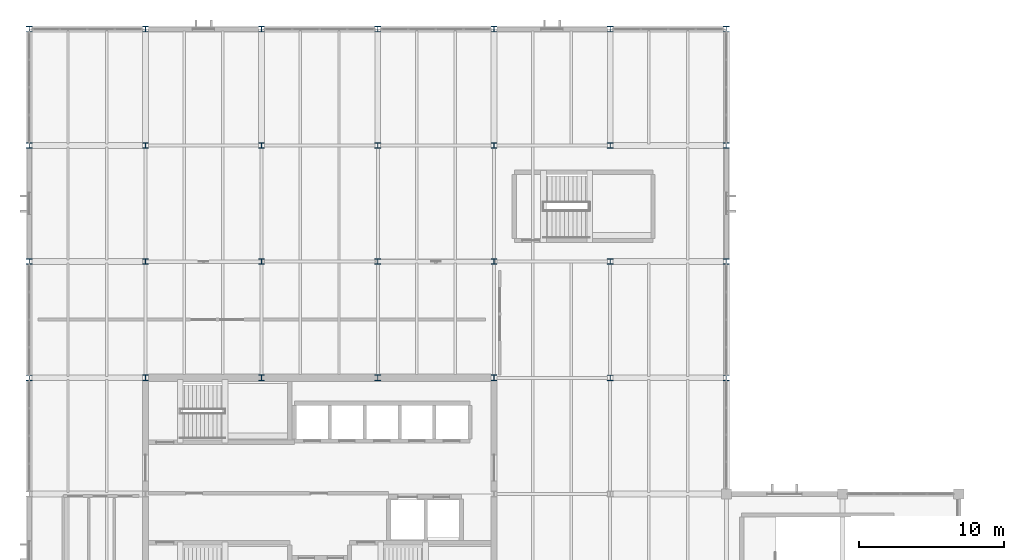
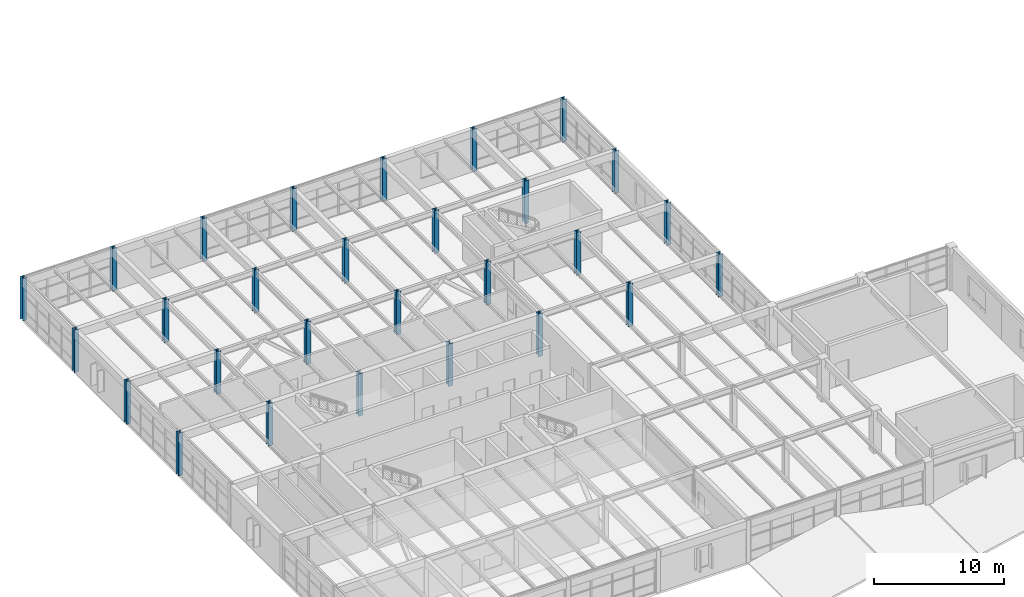
# One storey, part 3 of 48: 28 columns.
"""IFC4 building model written with IfcOpenShell, lengths in metres."""

from ifc_helpers import new_model, si_unit, direction, frame, origin, origin_2d, place, context, subcontext, project, spatial, i_section, extrude, material, material_profile, profile_set, type_object, element, save


model = new_model("IFC4")

# Units and contexts
model_context = context("Model", 3, precision=1e-05, world=origin(), true_north=direction((0.0, 1.0)))
body_context = subcontext(model_context, "Body", "Model", "MODEL_VIEW")
ifc_project = project(units=[si_unit("LENGTHUNIT", "METRE"), si_unit("AREAUNIT", "SQUARE_METRE"), si_unit("VOLUMEUNIT", "CUBIC_METRE"), si_unit("PLANEANGLEUNIT", "RADIAN"), si_unit("MASSUNIT", "GRAM", prefix="KILO")], contexts=[model_context])

# Site, building, storey
site_placement = place(None, origin())
site = spatial("IfcSite", under=ifc_project, at=site_placement, CompositionType="ELEMENT")
building_placement = place(site_placement, origin())
building = spatial("IfcBuilding", under=site, at=building_placement, Name="Varnela Railside Interchange", CompositionType="ELEMENT")
storey_placement = place(building_placement, frame((0.0, 0.0, 11.199951171875)))
storey = spatial("IfcBuildingStorey", under=building, at=storey_placement, Name="L02", CompositionType="ELEMENT", Elevation=11.199951171875)

# Columns
ifc_material = material(Name="Steel AR 350 (350 MPa)", Category="steel")
ifc_material_profile_1 = material_profile(ifc_material, i_section(OverallWidth=0.39794921875, OverallDepth=0.386962890625, WebThickness=0.02099609375, FlangeThickness=0.033203125, at=origin_2d()), Name="W360x262")
ifc_profile_set_1 = profile_set([ifc_material_profile_1], Name="Steel AR 350 (350 MPa)")
column_type_1 = type_object("IfcColumnType", Name="Superstructure Steel Col C-16", PredefinedType="COLUMN", material=ifc_profile_set_1)
for number, where, z_axis, x_axis, name in (
    (1, (12.0, 70.0, 0.0), (0.0, 0.0, 1.0), (1.0, 0.0, 0.0), "Column C-16 (L02) (CL-0771)"),
    (2, (20.0, 70.0, 0.0), (0.0, 0.0, 1.0), (1.0, 0.0, 0.0), "Column C-16 (L02) (CL-0778)"),
    (3, (28.0, 70.0, 0.0), (0.0, 0.0, 1.0), (1.0, 0.0, 0.0), "Column C-16 (L02) (CL-0785)"),
    (4, (36.0, 70.0, 0.0), (0.0, 0.0, 1.0), (1.0, 0.0, 0.0), "Column C-16 (L02) (CL-0793)"),
):
    element("IfcColumn", number, at=place(storey_placement, frame(where, z_axis=z_axis, x_axis=x_axis)), inside=storey, type_object=column_type_1, Name=name, PredefinedType="COLUMN", context=body_context, shape_type="SweptSolid", body=[
        extrude(i_section(OverallWidth=0.39794921875, OverallDepth=0.386962890625, WebThickness=0.02099609375, FlangeThickness=0.033203125, at=origin_2d()), origin(), (0.0, 0.0, 1.0), 4.0),
    ])
ifc_material_profile_2 = material_profile(ifc_material, i_section(OverallWidth=0.39404296875, OverallDepth=0.375, WebThickness=0.017333984375, FlangeThickness=0.027587890625, at=origin_2d()), Name="W360x216")
ifc_profile_set_2 = profile_set([ifc_material_profile_2], Name="Steel AR 350 (350 MPa)")
column_type_2 = type_object("IfcColumnType", Name="Superstructure Steel Col C-17", PredefinedType="COLUMN", material=ifc_profile_set_2)
for number, where, z_axis, x_axis, name in (
    (5, (4.0, 70.0, 0.0), (0.0, 0.0, 1.0), (1.0, 0.0, 0.0), "Column C-17 (L02) (CL-0755)"),
    (6, (4.0, 78.0, 0.0), (0.0, 0.0, 1.0), (1.0, 0.0, 0.0), "Column C-17 (L02) (CL-0756)"),
    (7, (4.0, 86.0, 0.0), (0.0, 0.0, 1.0), (1.0, 0.0, 0.0), "Column C-17 (L02) (CL-0757)"),
    (8, (4.0, 94.0, 0.0), (0.0, 0.0, 1.0), (1.0, 0.0, 0.0), "Column C-17 (L02) (CL-0758)"),
    (9, (12.0, 78.0, 0.0), (0.0, 0.0, 1.0), (1.0, 0.0, 0.0), "Column C-17 (L02) (CL-0772)"),
    (10, (12.0, 86.0, 0.0), (0.0, 0.0, 1.0), (1.0, 0.0, 0.0), "Column C-17 (L02) (CL-0773)"),
    (11, (12.0, 94.0, 0.0), (0.0, 0.0, 1.0), (1.0, 0.0, 0.0), "Column C-17 (L02) (CL-0774)"),
    (12, (20.0, 78.0, 0.0), (0.0, 0.0, 1.0), (1.0, 0.0, 0.0), "Column C-17 (L02) (CL-0779)"),
    (13, (20.0, 86.0, 0.0), (0.0, 0.0, 1.0), (1.0, 0.0, 0.0), "Column C-17 (L02) (CL-0780)"),
    (14, (20.0, 94.0, 0.0), (0.0, 0.0, 1.0), (1.0, 0.0, 0.0), "Column C-17 (L02) (CL-0781)"),
    (15, (28.0, 78.0, 0.0), (0.0, 0.0, 1.0), (1.0, 0.0, 0.0), "Column C-17 (L02) (CL-0786)"),
    (16, (28.0, 86.0, 0.0), (0.0, 0.0, 1.0), (1.0, 0.0, 0.0), "Column C-17 (L02) (CL-0787)"),
    (17, (28.0, 94.0, 0.0), (0.0, 0.0, 1.0), (1.0, 0.0, 0.0), "Column C-17 (L02) (CL-0788)"),
    (18, (36.0, 78.0, 0.0), (0.0, 0.0, 1.0), (1.0, 0.0, 0.0), "Column C-17 (L02) (CL-0794)"),
    (19, (36.0, 86.0, 0.0), (0.0, 0.0, 1.0), (1.0, 0.0, 0.0), "Column C-17 (L02) (CL-0795)"),
    (20, (36.0, 94.0, 0.0), (0.0, 0.0, 1.0), (1.0, 0.0, 0.0), "Column C-17 (L02) (CL-0796)"),
    (21, (44.0, 70.0, 0.0), (0.0, 0.0, 1.0), (1.0, 0.0, 0.0), "Column C-17 (L02) (CL-0801)"),
    (22, (44.0, 78.0, 0.0), (0.0, 0.0, 1.0), (1.0, 0.0, 0.0), "Column C-17 (L02) (CL-0802)"),
    (23, (44.0, 86.0, 0.0), (0.0, 0.0, 1.0), (1.0, 0.0, 0.0), "Column C-17 (L02) (CL-0803)"),
    (24, (44.0, 94.0, 0.0), (0.0, 0.0, 1.0), (1.0, 0.0, 0.0), "Column C-17 (L02) (CL-0804)"),
    (25, (52.0, 70.0, 0.0), (0.0, 0.0, 1.0), (1.0, 0.0, 0.0), "Column C-17 (L02) (CL-0809)"),
    (26, (52.0, 78.0, 0.0), (0.0, 0.0, 1.0), (1.0, 0.0, 0.0), "Column C-17 (L02) (CL-0810)"),
    (27, (52.0, 86.0, 0.0), (0.0, 0.0, 1.0), (1.0, 0.0, 0.0), "Column C-17 (L02) (CL-0811)"),
    (28, (52.0, 94.0, 0.0), (0.0, 0.0, 1.0), (1.0, 0.0, 0.0), "Column C-17 (L02) (CL-0812)"),
):
    element("IfcColumn", number, at=place(storey_placement, frame(where, z_axis=z_axis, x_axis=x_axis)), inside=storey, type_object=column_type_2, Name=name, PredefinedType="COLUMN", context=body_context, shape_type="SweptSolid", body=[
        extrude(i_section(OverallWidth=0.39404296875, OverallDepth=0.375, WebThickness=0.017333984375, FlangeThickness=0.027587890625, at=origin_2d()), origin(), (0.0, 0.0, 1.0), 4.0),
    ])

save(model, "model.ifc")
